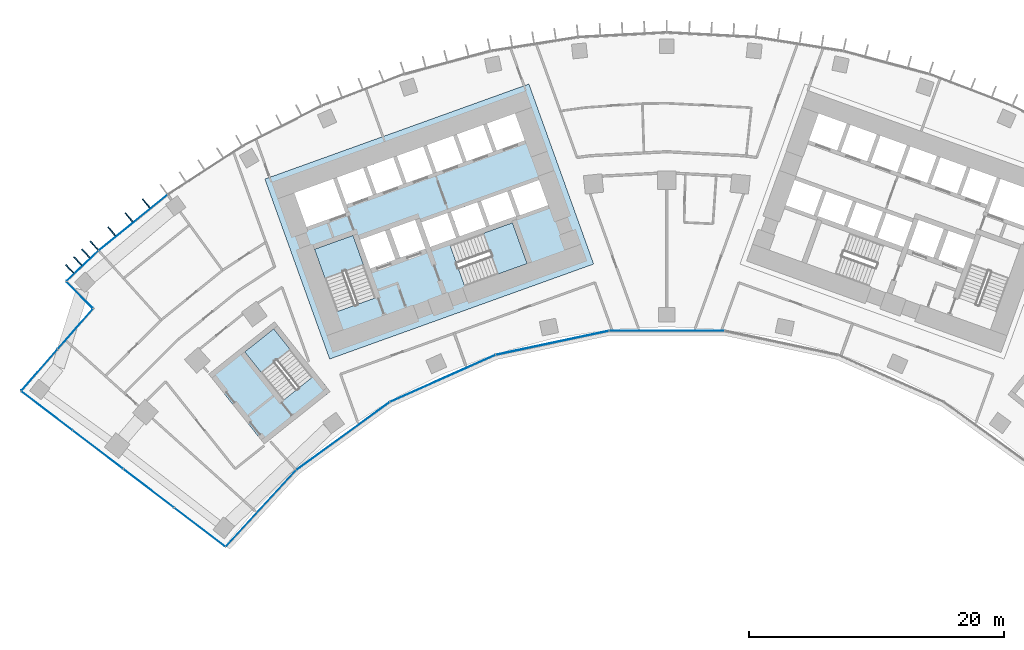
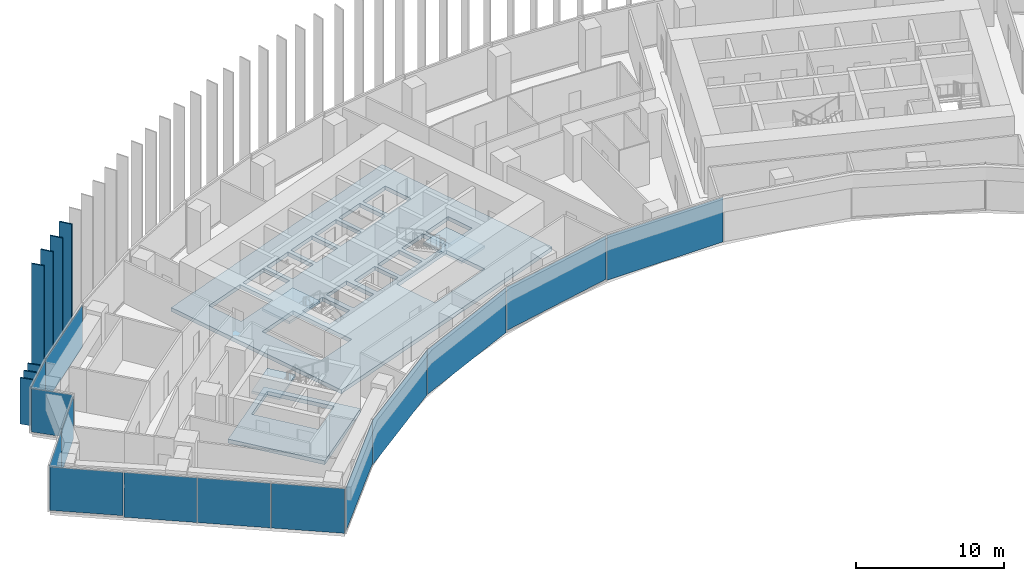
# One storey, part 13 of 23: 21 plates, 5 slabs, 8 elements without a shape of their own.
"""IFC4 building model written with IfcOpenShell, lengths in metres."""

from ifc_helpers import new_model, si_unit, direction, frame, origin, origin_2d, place, context, subcontext, project, spatial, polyline, rectangle, outline, extrude, material, layer, layer_set, type_object, element, aggregate, save


model = new_model("IFC4")

# Units and contexts
model_context = context("Model", 3, precision=1e-05, world=origin(), true_north=direction((0.0, 1.0)))
body_context = subcontext(model_context, "Body", "Model", "MODEL_VIEW")
ifc_project = project(units=[si_unit("LENGTHUNIT", "METRE"), si_unit("AREAUNIT", "SQUARE_METRE"), si_unit("VOLUMEUNIT", "CUBIC_METRE"), si_unit("PLANEANGLEUNIT", "RADIAN"), si_unit("MASSUNIT", "GRAM", prefix="KILO")], contexts=[model_context])

# Site, building, storey
site_placement = place(None, origin())
site = spatial("IfcSite", under=ifc_project, at=site_placement, CompositionType="ELEMENT")
building_placement = place(site_placement, origin())
building = spatial("IfcBuilding", under=site, at=building_placement, Name="Stone Belt Terrace Tower", CompositionType="ELEMENT")
storey_placement = place(building_placement, frame((0.0, 0.0, 98.39990234375)))
storey = spatial("IfcBuildingStorey", under=building, at=storey_placement, Name="L23", CompositionType="ELEMENT", Elevation=98.39990234375)

# Curtain wall, plates
ifc_material_1 = material(Name="Aluminium 6063-T6 anodised frame", Category="aluminium")
ifc_layer_1 = layer(ifc_material_1, 0.14990234375)
ifc_layer_set_1 = layer_set([ifc_layer_1], Name="CW-A unitised convex-face curtain wall")
curtain_wall_type_1 = type_object("IfcCurtainWallType", Name="CW-A unitised convex-face curtain wall", PredefinedType="NOTDEFINED", material=ifc_layer_set_1)
curtain_wall_1_placement = place(storey_placement, origin())
curtain_wall_1 = element("IfcCurtainWall", 1, at=curtain_wall_1_placement, inside=storey, type_object=curtain_wall_type_1, Name="CW-A convex face L23", PredefinedType="NOTDEFINED")
ifc_material_2 = material(Name="Clear double glazed unit")
ifc_layer_2 = layer(ifc_material_2, 0.031982421875)
ifc_layer_set_2 = layer_set([ifc_layer_2], Name="CW-A glass panel 32")
plate_type_1 = type_object("IfcPlateType", Name="CW-A glass panel 32", PredefinedType="CURTAIN_PANEL", material=ifc_layer_set_2)
plate_1_placement = place(storey_placement, frame((-41.839599609375, 51.667724609375, 0.14013671875), z_axis=(0.0, 0.0, 1.0), x_axis=(-0.777145961457, -0.62932039105, 0.0)))
plate_1 = element("IfcPlate", 2, at=plate_1_placement, type_object=plate_type_1, Name="CW-A panel 16.1", PredefinedType="CURTAIN_PANEL", context=body_context, shape_type="SweptSolid", body=[
    extrude(rectangle(XDim=6.900634765625, YDim=0.031982421875, at=origin_2d()), origin(), (0.0, 0.0, 1.0), 3.52001953125),
])
plate_2_placement = place(storey_placement, frame((-45.805908203125, 48.281494140625, 0.14013671875), z_axis=(0.0, 0.0, 1.0), x_axis=(-0.725627811581, -0.688087406556, 0.0)))
plate_2 = element("IfcPlate", 3, at=plate_2_placement, type_object=plate_type_1, Name="CW-A panel 17.1", PredefinedType="CURTAIN_PANEL", context=body_context, shape_type="SweptSolid", body=[
    extrude(rectangle(XDim=3.405029296875, YDim=0.031982421875, at=origin_2d()), origin(), (0.0, 0.0, 1.0), 3.52001953125),
])
aggregate(curtain_wall_1, [plate_1, plate_2])

ifc_layer_3 = layer(ifc_material_1, 0.14990234375)
ifc_layer_set_3 = layer_set([ifc_layer_3], Name="CW-B unitised concave-face curtain wall")
curtain_wall_type_2 = type_object("IfcCurtainWallType", Name="CW-B unitised concave-face curtain wall", PredefinedType="NOTDEFINED", material=ifc_layer_set_3)
curtain_wall_2_placement = place(storey_placement, origin())
curtain_wall_2 = element("IfcCurtainWall", 4, at=curtain_wall_2_placement, inside=storey, type_object=curtain_wall_type_2, Name="CW-B concave face L23", PredefinedType="NOTDEFINED")
ifc_layer_4 = layer(ifc_material_2, 0.030029296875)
ifc_layer_set_4 = layer_set([ifc_layer_4], Name="CW-B glass panel 30")
plate_type_2 = type_object("IfcPlateType", Name="CW-B glass panel 30", PredefinedType="CURTAIN_PANEL", material=ifc_layer_set_4)
plate_3_placement = place(storey_placement, frame((-31.81591796875, 29.27490234375, 0.1201171875), z_axis=(0.0, 0.0, 1.0), x_axis=(0.677440300006, 0.735577759266, 0.0)))
plate_3 = element("IfcPlate", 5, at=plate_3_placement, type_object=plate_type_2, Name="CW-B panel 1.1", PredefinedType="CURTAIN_PANEL", context=body_context, shape_type="SweptSolid", body=[
    extrude(rectangle(XDim=8.08056640625, YDim=0.030029296875, at=origin_2d()), origin(), (0.0, 0.0, 1.0), 3.56005859375),
])
plate_4_placement = place(storey_placement, frame((-25.384765625, 34.9384765625, 0.0), z_axis=(0.0, 0.0, 1.0), x_axis=(0.809016994375, 0.587785252292, 0.0)))
plate_4 = element("IfcPlate", 6, at=plate_4_placement, type_object=plate_type_2, Name="CW-B panel 2.1", PredefinedType="CURTAIN_PANEL", context=body_context, shape_type="SweptSolid", body=[
    extrude(rectangle(XDim=9.013671875, YDim=0.030029296875, at=origin_2d()), origin(), (0.0, 0.0, 1.0), 3.679931640625),
])
plate_5_placement = place(storey_placement, frame((-17.565673828125, 39.453125, 0.0), z_axis=(0.0, 0.0, 1.0), x_axis=(0.913545457643, 0.406736643076, 0.0)))
plate_5 = element("IfcPlate", 7, at=plate_5_placement, type_object=plate_type_2, Name="CW-B panel 3.1", PredefinedType="CURTAIN_PANEL", context=body_context, shape_type="SweptSolid", body=[
    extrude(rectangle(XDim=9.0126953125, YDim=0.030029296875, at=origin_2d()), origin(), (0.0, 0.0, 1.0), 3.679931640625),
])
plate_6_placement = place(storey_placement, frame((-8.97900390625, 42.242919921875, 0.1201171875), z_axis=(0.0, 0.0, 1.0), x_axis=(0.978147600734, 0.207911690818, 0.0)))
plate_6 = element("IfcPlate", 8, at=plate_6_placement, type_object=plate_type_2, Name="CW-B panel 4.1", PredefinedType="CURTAIN_PANEL", context=body_context, shape_type="SweptSolid", body=[
    extrude(rectangle(XDim=9.0126953125, YDim=0.030029296875, at=origin_2d()), origin(), (0.0, 0.0, 1.0), 3.56005859375),
])
plate_7_placement = place(storey_placement, frame((0.0, 43.186767578125, 0.0), z_axis=(0.0, 0.0, 1.0), x_axis=(1.0, 0.0, 0.0)))
plate_7 = element("IfcPlate", 9, at=plate_7_placement, type_object=plate_type_2, Name="CW-B panel 5.1", PredefinedType="CURTAIN_PANEL", context=body_context, shape_type="SweptSolid", body=[
    extrude(rectangle(XDim=9.0126953125, YDim=0.030029296875, at=origin_2d()), origin(), (0.0, 0.0, 1.0), 3.679931640625),
])
aggregate(curtain_wall_2, [plate_3, plate_4, plate_5, plate_6, plate_7])

# Curtain wall, plate
ifc_layer_5 = layer(ifc_material_1, 0.14990234375)
ifc_layer_set_5 = layer_set([ifc_layer_5], Name="CW-C stick curtain wall, horn ends and notches")
curtain_wall_type_3 = type_object("IfcCurtainWallType", Name="CW-C stick curtain wall, horn ends and notches", PredefinedType="NOTDEFINED", material=ifc_layer_set_5)
curtain_wall_3_placement = place(storey_placement, origin())
curtain_wall_3 = element("IfcCurtainWall", 10, at=curtain_wall_3_placement, inside=storey, type_object=curtain_wall_type_3, Name="CW-C notch face L23", PredefinedType="NOTDEFINED")
ifc_layer_6 = layer(ifc_material_2, 0.028076171875)
ifc_layer_set_6 = layer_set([ifc_layer_6], Name="CW-C glass panel 28")
plate_type_3 = type_object("IfcPlateType", Name="CW-C glass panel 28", PredefinedType="CURTAIN_PANEL", material=ifc_layer_set_6)
plate_8_placement = place(storey_placement, frame((-46.032470703125, 45.994384765625, 0.1201171875), z_axis=(0.0, 0.0, 1.0), x_axis=(0.70658579876, -0.707627380046, 0.0)))
plate_8 = element("IfcPlate", 11, at=plate_8_placement, type_object=plate_type_3, Name="CW-C panel 1.1", PredefinedType="CURTAIN_PANEL", context=body_context, shape_type="SweptSolid", body=[
    extrude(rectangle(XDim=2.859130859375, YDim=0.028076171875, at=origin_2d()), origin(), (0.0, 0.0, 1.0), 3.56005859375),
])
aggregate(curtain_wall_3, [plate_8])

# Curtain wall, plates
curtain_wall_4_placement = place(storey_placement, origin())
curtain_wall_4 = element("IfcCurtainWall", 12, at=curtain_wall_4_placement, inside=storey, type_object=curtain_wall_type_3, Name="CW-C notch face L23", PredefinedType="NOTDEFINED")
plate_9_placement = place(storey_placement, frame((-46.375, 43.324951171875, 0.1201171875), z_axis=(0.0, 0.0, 1.0), x_axis=(-0.658230250003, -0.752816669569, 0.0)))
plate_9 = element("IfcPlate", 13, at=plate_9_placement, type_object=plate_type_3, Name="CW-C panel 1.1", PredefinedType="CURTAIN_PANEL", context=body_context, shape_type="SweptSolid", body=[
    extrude(rectangle(XDim=4.12060546875, YDim=0.028076171875, at=origin_2d()), origin(), (0.0, 0.0, 1.0), 3.56005859375),
])
plate_10_placement = place(storey_placement, frame((-49.175537109375, 40.1220703125, 0.0), z_axis=(0.0, 0.0, 1.0), x_axis=(-0.658230250003, -0.752816669569, 0.0)))
plate_10 = element("IfcPlate", 14, at=plate_10_placement, type_object=plate_type_3, Name="CW-C panel 2.1", PredefinedType="CURTAIN_PANEL", context=body_context, shape_type="SweptSolid", body=[
    extrude(rectangle(XDim=4.268798828125, YDim=0.028076171875, at=origin_2d()), origin(), (0.0, 0.0, 1.0), 3.679931640625),
])
aggregate(curtain_wall_4, [plate_9, plate_10])

curtain_wall_5_placement = place(storey_placement, origin())
curtain_wall_5 = element("IfcCurtainWall", 15, at=curtain_wall_5_placement, inside=storey, type_object=curtain_wall_type_3, Name="CW-C end face L23", PredefinedType="NOTDEFINED")
plate_11_placement = place(storey_placement, frame((-48.591064453125, 36.906005859375, 0.1201171875), z_axis=(0.0, 0.0, 1.0), x_axis=(0.795601620036, -0.605820156644, 0.0)))
plate_11 = element("IfcPlate", 16, at=plate_11_placement, type_object=plate_type_3, Name="CW-C panel 1.1", PredefinedType="CURTAIN_PANEL", context=body_context, shape_type="SweptSolid", body=[
    extrude(rectangle(XDim=4.974853515625, YDim=0.028076171875, at=origin_2d()), origin(), (0.0, 0.0, 1.0), 3.56005859375),
])
plate_12_placement = place(storey_placement, frame((-44.59912109375, 33.8662109375, 0.0), z_axis=(0.0, 0.0, 1.0), x_axis=(0.795601620036, -0.605820156644, 0.0)))
plate_12 = element("IfcPlate", 17, at=plate_12_placement, type_object=plate_type_3, Name="CW-C panel 2.1", PredefinedType="CURTAIN_PANEL", context=body_context, shape_type="SweptSolid", body=[
    extrude(rectangle(XDim=4.93994140625, YDim=0.028076171875, at=origin_2d()), origin(), (0.0, 0.0, 1.0), 3.679931640625),
])
plate_13_placement = place(storey_placement, frame((-40.62109375, 30.837158203125, 0.0), z_axis=(0.0, 0.0, 1.0), x_axis=(0.795601620036, -0.605820156644, 0.0)))
plate_13 = element("IfcPlate", 18, at=plate_13_placement, type_object=plate_type_3, Name="CW-C panel 3.1", PredefinedType="CURTAIN_PANEL", context=body_context, shape_type="SweptSolid", body=[
    extrude(rectangle(XDim=4.93994140625, YDim=0.028076171875, at=origin_2d()), origin(), (0.0, 0.0, 1.0), 3.679931640625),
])
plate_14_placement = place(storey_placement, frame((-36.6328125, 27.80029296875, 0.0), z_axis=(0.0, 0.0, 1.0), x_axis=(0.795601620036, -0.605820156644, 0.0)))
plate_14 = element("IfcPlate", 19, at=plate_14_placement, type_object=plate_type_3, Name="CW-C panel 4.1", PredefinedType="CURTAIN_PANEL", context=body_context, shape_type="SweptSolid", body=[
    extrude(rectangle(XDim=4.965576171875, YDim=0.028076171875, at=origin_2d()), origin(), (0.0, 0.0, 1.0), 3.679931640625),
])
aggregate(curtain_wall_5, [plate_11, plate_12, plate_13, plate_14])

# Slabs
ifc_material_3 = material(Name="Concrete B40", Category="concrete")
ifc_layer_7 = layer(ifc_material_3, 0.320068359375)
ifc_layer_set_7 = layer_set([ifc_layer_7], Name="Core floor slab 320")
slab_type_1 = type_object("IfcSlabType", Name="Core floor slab 320", PredefinedType="FLOOR", material=ifc_layer_set_7)
slab_1_placement = place(storey_placement, frame((0.0, 0.0, -0.31982421875)))
element("IfcSlab", 20, at=slab_1_placement, inside=storey, type_object=slab_type_1, Name="Core A floor L23", PredefinedType="FLOOR", context=body_context, shape_type="SweptSolid", body=[
    extrude(outline(polyline([(-26.43505859375, 40.968994140625), (-5.735107421875, 48.4189453125), (-10.81396484375, 62.531982421875), (-31.513916015625, 55.0830078125), (-26.43505859375, 40.968994140625)]), holes=[polyline([(-24.60791015625, 50.659912109375), (-22.847900390625, 45.76806640625), (-25.85888671875, 44.68408203125), (-27.618896484375, 49.575927734375), (-24.60791015625, 50.659912109375)]), polyline([(-21.27392578125, 48.778076171875), (-23.25, 48.06689453125), (-24.06298828125, 50.324951171875), (-22.0869140625, 51.035888671875), (-21.27392578125, 48.778076171875)]), polyline([(-18.922119140625, 49.6240234375), (-20.89794921875, 48.9130859375), (-21.7109375, 51.1708984375), (-19.735107421875, 51.883056640625), (-18.922119140625, 49.6240234375)]), polyline([(-19.239990234375, 51.68896484375), (-17.217041015625, 52.4169921875), (-16.52294921875, 50.488037109375), (-18.5458984375, 49.760009765625), (-19.239990234375, 51.68896484375)]), polyline([(-29.2109375, 53.9990234375), (-26.153076171875, 55.09912109375), (-25.18798828125, 52.41796875), (-28.24609375, 51.31689453125), (-29.2109375, 53.9990234375)]), polyline([(-23.801025390625, 55.946044921875), (-23.0390625, 53.8291015625), (-25.10888671875, 53.083984375), (-25.87109375, 55.200927734375), (-23.801025390625, 55.946044921875)]), polyline([(-21.447998046875, 56.7919921875), (-20.68603515625, 54.675048828125), (-22.756103515625, 53.929931640625), (-23.51806640625, 56.047119140625), (-21.447998046875, 56.7919921875)]), polyline([(-19.095947265625, 57.638916015625), (-18.333984375, 55.52197265625), (-20.404052734375, 54.777099609375), (-21.166015625, 56.89404296875), (-19.095947265625, 57.638916015625)]), polyline([(-15.846923828125, 46.69189453125), (-16.998046875, 49.89208984375), (-12.10595703125, 51.652099609375), (-10.955078125, 48.452880859375), (-15.846923828125, 46.69189453125)]), polyline([(-16.239990234375, 50.589111328125), (-16.93408203125, 52.51806640625), (-14.864013671875, 53.262939453125), (-14.169921875, 51.333984375), (-16.239990234375, 50.589111328125)]), polyline([(-11.801025390625, 52.134033203125), (-11.847900390625, 52.116943359375), (-11.864990234375, 52.1640625), (-13.887939453125, 51.43603515625), (-14.58203125, 53.364990234375), (-12.511962890625, 54.110107421875), (-11.801025390625, 52.134033203125)]), polyline([(-9.30810546875, 53.031005859375), (-11.51904296875, 52.235107421875), (-12.22998046875, 54.2109375), (-10.01904296875, 55.007080078125), (-9.30810546875, 53.031005859375)]), polyline([(-16.743896484375, 58.485107421875), (-15.98193359375, 56.367919921875), (-18.052001953125, 55.623046875), (-18.81396484375, 57.739990234375), (-16.743896484375, 58.485107421875)]), polyline([(-14.39111328125, 59.33203125), (-13.6298828125, 57.215087890625), (-15.699951171875, 56.469970703125), (-16.4609375, 58.5869140625), (-14.39111328125, 59.33203125)]), polyline([(-11.89794921875, 60.22900390625), (-11.135986328125, 58.112060546875), (-13.346923828125, 57.31591796875), (-14.10888671875, 59.43408203125), (-11.89794921875, 60.22900390625)])]), origin(), (0.0, 0.0, 1.0), 0.31982421875),
])
slab_2_placement = place(storey_placement, frame((0.0, 0.0, -0.31982421875)))
element("IfcSlab", 21, at=slab_2_placement, inside=storey, type_object=slab_type_1, Name="Exit stair ST3A floor L23", PredefinedType="FLOOR", context=body_context, shape_type="SweptSolid", body=[
    extrude(outline(polyline([(-26.39404296875, 38.425048828125), (-30.756103515625, 43.89990234375), (-35.91796875, 39.787109375), (-31.555908203125, 34.31298828125), (-26.39404296875, 38.425048828125)]), holes=[polyline([(-27.798095703125, 39.544921875), (-30.06591796875, 37.738037109375), (-33.087890625, 41.531005859375), (-30.820068359375, 43.337890625), (-27.798095703125, 39.544921875)])]), origin(), (0.0, 0.0, 1.0), 0.31982421875),
])

# Stair, slab
stair_type = type_object("IfcStairType", Name="Exit stair 1500", PredefinedType="HALF_TURN_STAIR", material=ifc_material_3)
stair_1_placement = place(storey_placement, origin())
stair_1 = element("IfcStair", 22, at=stair_1_placement, inside=storey, type_object=stair_type, Name="L23 Exit stair 1 core A", PredefinedType="HALF_TURN_STAIR")
ifc_layer_8 = layer(ifc_material_3, 0.199951171875)
ifc_layer_set_8 = layer_set([ifc_layer_8], Name="Stair landing 200")
slab_type_2 = type_object("IfcSlabType", Name="Stair landing 200", PredefinedType="LANDING", material=ifc_layer_set_8)
slab_3_placement = place(storey_placement, frame((0.0, 0.0, 1.7001953125)))
slab_3 = element("IfcSlab", 23, at=slab_3_placement, type_object=slab_type_2, Name="ST1A landing 1", PredefinedType="LANDING", context=body_context, shape_type="SweptSolid", body=[
    extrude(outline(polyline([(-23.79541015625, 48.40087890625), (-24.6083984375, 50.659912109375), (-27.619384765625, 49.576171875), (-26.806396484375, 47.3173828125), (-23.79541015625, 48.40087890625)])), origin(), (0.0, 0.0, 1.0), 0.199951171875),
])
aggregate(stair_1, [slab_3])

stair_2_placement = place(storey_placement, origin())
stair_2 = element("IfcStair", 24, at=stair_2_placement, inside=storey, type_object=stair_type, Name="L23 Exit stair 2 core A", PredefinedType="HALF_TURN_STAIR")
slab_4_placement = place(storey_placement, frame((0.0, 0.0, 1.7001953125)))
slab_4 = element("IfcSlab", 25, at=slab_4_placement, type_object=slab_type_2, Name="ST2A landing 1", PredefinedType="LANDING", context=body_context, shape_type="SweptSolid", body=[
    extrude(outline(polyline([(-13.213623046875, 47.64013671875), (-10.95458984375, 48.453125), (-12.10595703125, 51.652099609375), (-14.36474609375, 50.839111328125), (-13.213623046875, 47.64013671875)])), origin(), (0.0, 0.0, 1.0), 0.199951171875),
])
aggregate(stair_2, [slab_4])

stair_3_placement = place(storey_placement, origin())
stair_3 = element("IfcStair", 26, at=stair_3_placement, inside=storey, type_object=stair_type, Name="L23 Exit stair 3A", PredefinedType="HALF_TURN_STAIR")
slab_5_placement = place(storey_placement, frame((0.0, 0.0, 1.7001953125)))
slab_5 = element("IfcSlab", 27, at=slab_5_placement, type_object=slab_type_2, Name="ST3A landing 1", PredefinedType="LANDING", context=body_context, shape_type="SweptSolid", body=[
    extrude(outline(polyline([(-29.541748046875, 41.73388671875), (-30.819580078125, 43.337890625), (-33.087646484375, 41.53076171875), (-31.809814453125, 39.9267578125), (-29.541748046875, 41.73388671875)])), origin(), (0.0, 0.0, 1.0), 0.199951171875),
])
aggregate(stair_3, [slab_5])

# Plates
ifc_material_4 = material(Name="Terracotta coloured glazed ceramic", Category="masonry")
ifc_layer_9 = layer(ifc_material_4, 0.10009765625)
ifc_layer_set_9 = layer_set([ifc_layer_9], Name="Terracotta fin 100 x 900")
plate_type_4 = type_object("IfcPlateType", Name="Terracotta fin 100 x 900", PredefinedType="SHEET", material=ifc_layer_set_9)
for number, where, z_axis, x_axis, name in (
    (28, (-40.81591796875, 53.172119140625, 0.000244140625), (0.0, 0.0, 1.0), (-0.62932039105, 0.777145961457, 0.0), "FIN L23 16.2"),
    (29, (-42.169677734375, 52.075927734375, 0.000244140625), (0.0, 0.0, 1.0), (-0.62932039105, 0.777145961457, 0.0), "FIN L23 16.3"),
    (30, (-43.5234375, 50.979736328125, 0.000244140625), (0.0, 0.0, 1.0), (-0.62932039105, 0.777145961457, 0.0), "FIN L23 16.4"),
    (31, (-44.892822265625, 49.870361328125, 0.000244140625), (0.0, 0.0, 1.0), (-0.659207369679, 0.751961198308, 0.0), "FIN L23 17.1"),
):
    element("IfcPlate", number, at=place(storey_placement, frame(where, z_axis=z_axis, x_axis=x_axis)), inside=storey, type_object=plate_type_4, Name=name, PredefinedType="SHEET", context=body_context, shape_type="SweptSolid", body=[
        extrude(rectangle(XDim=0.89990234375, YDim=0.10009765625, at=origin_2d()), origin(), (0.0, 0.0, 1.0), 11.39990234375),
    ])
for number, where, z_axis, x_axis, name in (
    (32, (-45.545166015625, 49.252197265625, 0.0), (0.0, 0.0, 1.0), (-0.688087406556, 0.725627811581, 0.0), "FIN L23 17.2"),
    (33, (-46.182373046875, 48.648193359375, 0.0), (0.0, 0.0, 1.0), (-0.688087406556, 0.725627811581, 0.0), "FIN L23 17.3"),
    (34, (-46.819580078125, 48.0439453125, 0.0), (0.0, 0.0, 1.0), (-0.688087406556, 0.725627811581, 0.0), "FIN L23 17.4"),
):
    element("IfcPlate", number, at=place(storey_placement, frame(where, z_axis=z_axis, x_axis=x_axis)), inside=storey, type_object=plate_type_4, Name=name, PredefinedType="SHEET", context=body_context, shape_type="SweptSolid", body=[
        extrude(rectangle(XDim=0.89990234375, YDim=0.10009765625, at=origin_2d()), origin(), (0.0, 0.0, 1.0), 3.800048828125),
    ])

save(model, "model.ifc")
